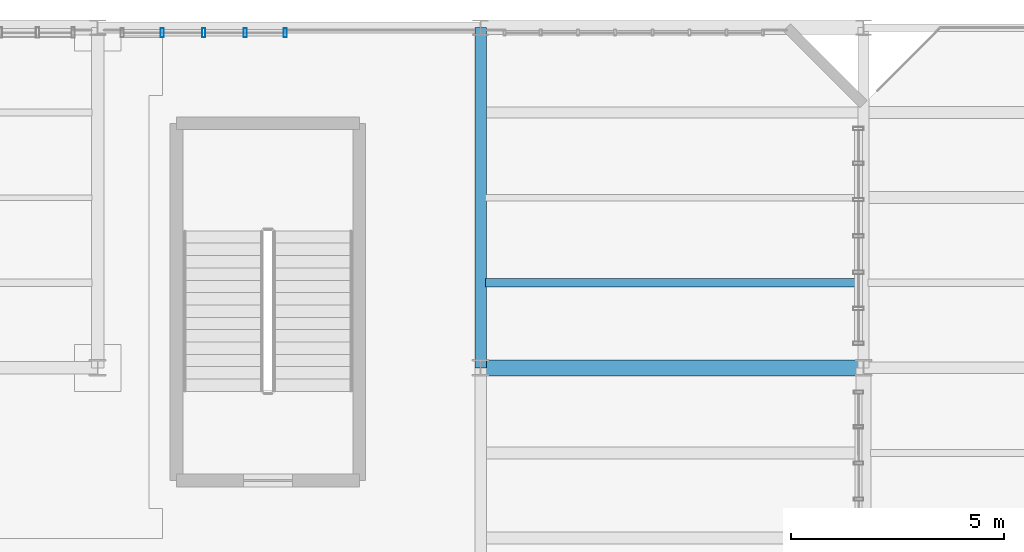
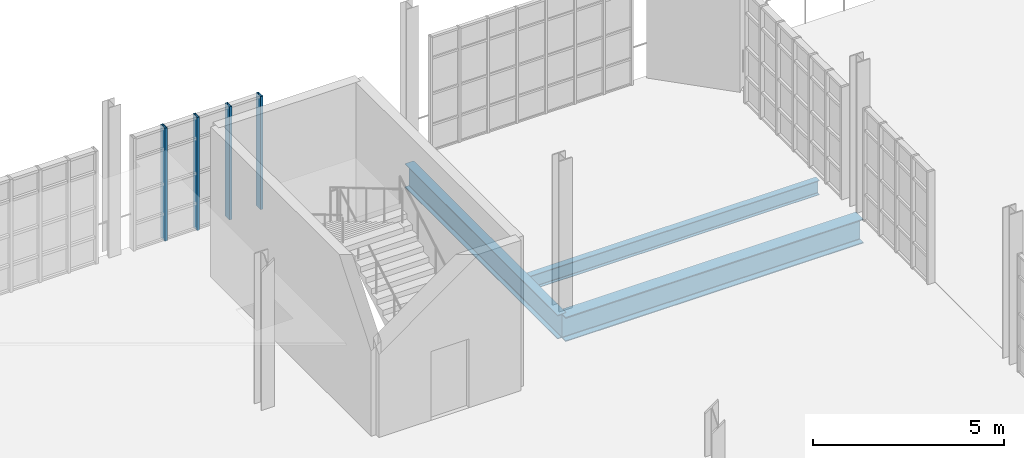
# One storey, part 49 of 85: 4 members, 3 beams, 1 element without a shape of its own.
"""IFC4 building model written with IfcOpenShell, lengths in metres."""

from ifc_helpers import new_model, si_unit, direction, frame, origin, origin_2d, place, context, subcontext, project, spatial, hollow_rectangle, i_section, extrude, material, layer, layer_set, material_profile, profile_set, type_object, element, aggregate, save


model = new_model("IFC4")

# Units and contexts
model_context = context("Model", 3, precision=1e-05, world=origin(), true_north=direction((0.0, 1.0)))
body_context = subcontext(model_context, "Body", "Model", "MODEL_VIEW")
ifc_project = project(units=[si_unit("LENGTHUNIT", "METRE"), si_unit("AREAUNIT", "SQUARE_METRE"), si_unit("VOLUMEUNIT", "CUBIC_METRE"), si_unit("PLANEANGLEUNIT", "RADIAN"), si_unit("MASSUNIT", "GRAM", prefix="KILO"), si_unit("THERMODYNAMICTEMPERATUREUNIT", "KELVIN"), si_unit("POWERUNIT", "WATT")], contexts=[model_context])

# Site, building, storey
site_placement = place(None, origin())
site = spatial("IfcSite", under=ifc_project, at=site_placement, CompositionType="ELEMENT")
building_placement = place(site_placement, origin())
building = spatial("IfcBuilding", under=site, at=building_placement, Name="Zelmaris Science Centre", CompositionType="ELEMENT")
storey_placement = place(building_placement, frame((0.0, 0.0, 20.39990234375)))
storey = spatial("IfcBuildingStorey", under=building, at=storey_placement, Name="L04", CompositionType="ELEMENT", Elevation=20.39990234375)

# Curtain wall, members
ifc_material_1 = material(Name="Anodised architectural aluminium 6063-T6", Category="aluminium")
ifc_layer = layer(ifc_material_1, 0.199951171875, Name="Anodised architectural aluminium 6063-T6")
ifc_layer_set = layer_set([ifc_layer], Name="Anodised architectural aluminium 6063-T6")
curtain_wall_type = type_object("IfcCurtainWallType", Name="Curtain Wall CW-02", PredefinedType="USERDEFINED", material=ifc_layer_set)
curtain_wall_placement = place(storey_placement, origin())
curtain_wall = element("IfcCurtainWall", 1, at=curtain_wall_placement, inside=storey, type_object=curtain_wall_type, Name="L04 Unitised curtain wall 342", ObjectType="GLAZED CURTAIN WALL", PredefinedType="USERDEFINED")
ifc_material_profile_1 = material_profile(ifc_material_1, hollow_rectangle(XDim=0.074951171875, YDim=0.219970703125, WallThickness=0.0048828125, at=origin_2d()), Name="ALU-MUL-75X220")
ifc_profile_set_1 = profile_set([ifc_material_profile_1], Name="Anodised architectural aluminium 6063-T6")
member_type = type_object("IfcMemberType", Name="ALU-MUL-75X220", PredefinedType="MULLION", material=ifc_profile_set_1)
member_1_placement = place(storey_placement, frame((64.514892578125, 87.8798828125, -0.014892578125), z_axis=(0.0, 0.0, 1.0), x_axis=(1.0, 0.0, 0.0)))
member_1 = element("IfcMember", 2, at=member_1_placement, type_object=member_type, Name="CW-02 mullion 2", PredefinedType="MULLION", context=body_context, shape_type="SweptSolid", body=[
    extrude(hollow_rectangle(XDim=0.074951171875, YDim=0.219970703125, WallThickness=0.0048828125, at=origin_2d()), origin(), (0.0, 0.0, 1.0), 3.615966796875),
])
member_2_placement = place(storey_placement, frame((65.489990234375, 87.8798828125, -0.014892578125), z_axis=(0.0, 0.0, 1.0), x_axis=(1.0, 0.0, 0.0)))
member_2 = element("IfcMember", 3, at=member_2_placement, type_object=member_type, Name="CW-02 mullion 3", PredefinedType="MULLION", context=body_context, shape_type="SweptSolid", body=[
    extrude(hollow_rectangle(XDim=0.074951171875, YDim=0.219970703125, WallThickness=0.0048828125, at=origin_2d()), origin(), (0.0, 0.0, 1.0), 3.615966796875),
])
member_3_placement = place(storey_placement, frame((66.465087890625, 87.8798828125, -0.014892578125), z_axis=(0.0, 0.0, 1.0), x_axis=(1.0, 0.0, 0.0)))
member_3 = element("IfcMember", 4, at=member_3_placement, type_object=member_type, Name="CW-02 mullion 4", PredefinedType="MULLION", context=body_context, shape_type="SweptSolid", body=[
    extrude(hollow_rectangle(XDim=0.074951171875, YDim=0.219970703125, WallThickness=0.0048828125, at=origin_2d()), origin(), (0.0, 0.0, 1.0), 3.615966796875),
])
member_4_placement = place(storey_placement, frame((67.406494140625, 87.8798828125, -0.014892578125), z_axis=(0.0, 0.0, 1.0), x_axis=(1.0, 0.0, 0.0)))
member_4 = element("IfcMember", 5, at=member_4_placement, type_object=member_type, Name="CW-02 mullion 5", PredefinedType="MULLION", context=body_context, shape_type="SweptSolid", body=[
    extrude(hollow_rectangle(XDim=0.074951171875, YDim=0.219970703125, WallThickness=0.0048828125, at=origin_2d()), origin(), (0.0, 0.0, 1.0), 3.615966796875),
])
aggregate(curtain_wall, [member_1, member_2, member_3, member_4])

# Beams
ifc_material_2 = material(Name="Steel ASTM A992 Grade 50", Category="steel")
ifc_material_profile_2 = material_profile(ifc_material_2, i_section(OverallWidth=0.381103515625, OverallDepth=0.777099609375, WebThickness=0.01806640625, FlangeThickness=0.030029296875, FilletRadius=0.01904296875, at=origin_2d()), Name="W30X191")
ifc_profile_set_2 = profile_set([ifc_material_profile_2], Name="Steel ASTM A992 Grade 50")
beam_type_1 = type_object("IfcBeamType", Name="Beam G-31 W30X191", PredefinedType="BEAM", material=ifc_profile_set_2)
beam_1_placement = place(storey_placement, frame((72.0, 80.0, -0.638427734375), z_axis=(1.0, 0.0, 0.0), x_axis=(0.0, 1.0, 0.0)))
element("IfcBeam", 6, at=beam_1_placement, inside=storey, type_object=beam_type_1, Name="L04 East-west girder 857", PredefinedType="BEAM", context=body_context, shape_type="SweptSolid", body=[
    extrude(i_section(OverallWidth=0.381103515625, OverallDepth=0.777099609375, WebThickness=0.01806640625, FlangeThickness=0.030029296875, FilletRadius=0.01904296875, at=origin_2d()), origin(), (0.0, 0.0, 1.0), 9.0),
])
ifc_material_profile_3 = material_profile(ifc_material_2, i_section(OverallWidth=0.26708984375, OverallDepth=0.761962890625, WebThickness=0.014404296875, FlangeThickness=0.021484375, FilletRadius=0.01904296875, at=origin_2d()), Name="W30X116")
ifc_profile_set_3 = profile_set([ifc_material_profile_3], Name="Steel ASTM A992 Grade 50")
beam_type_2 = type_object("IfcBeamType", Name="Beam G-33 W30X116", PredefinedType="BEAM", material=ifc_profile_set_3)
beam_2_placement = place(storey_placement, frame((72.0, 80.0, -0.630859375), z_axis=(0.0, 1.0, 0.0), x_axis=(-1.0, 0.0, 0.0)))
element("IfcBeam", 7, at=beam_2_placement, inside=storey, type_object=beam_type_2, Name="L04 North-south girder 828", PredefinedType="BEAM", context=body_context, shape_type="SweptSolid", body=[
    extrude(i_section(OverallWidth=0.26708984375, OverallDepth=0.761962890625, WebThickness=0.014404296875, FlangeThickness=0.021484375, FilletRadius=0.01904296875, at=origin_2d()), origin(), (0.0, 0.0, 1.0), 8.0),
])
ifc_material_profile_4 = material_profile(ifc_material_2, i_section(OverallWidth=0.19091796875, OverallDepth=0.4599609375, WebThickness=0.010009765625, FlangeThickness=0.01611328125, FilletRadius=0.012939453125, at=origin_2d()), Name="W18X55")
ifc_profile_set_4 = profile_set([ifc_material_profile_4], Name="Steel ASTM A992 Grade 50")
beam_type_3 = type_object("IfcBeamType", Name="Beam J-04 W18X55", PredefinedType="JOIST", material=ifc_profile_set_4)
beam_3_placement = place(storey_placement, frame((72.118408203125, 82.0, -0.47998046875), z_axis=(1.0, 0.0, 0.0), x_axis=(0.0, 1.0, 0.0)))
element("IfcBeam", 8, at=beam_3_placement, inside=storey, type_object=beam_type_3, Name="L04 Composite floor joist 399", PredefinedType="JOIST", context=body_context, shape_type="SweptSolid", body=[
    extrude(i_section(OverallWidth=0.19091796875, OverallDepth=0.4599609375, WebThickness=0.010009765625, FlangeThickness=0.01611328125, FilletRadius=0.012939453125, at=origin_2d()), origin(), (0.0, 0.0, 1.0), 8.76953125),
])

save(model, "model.ifc")
